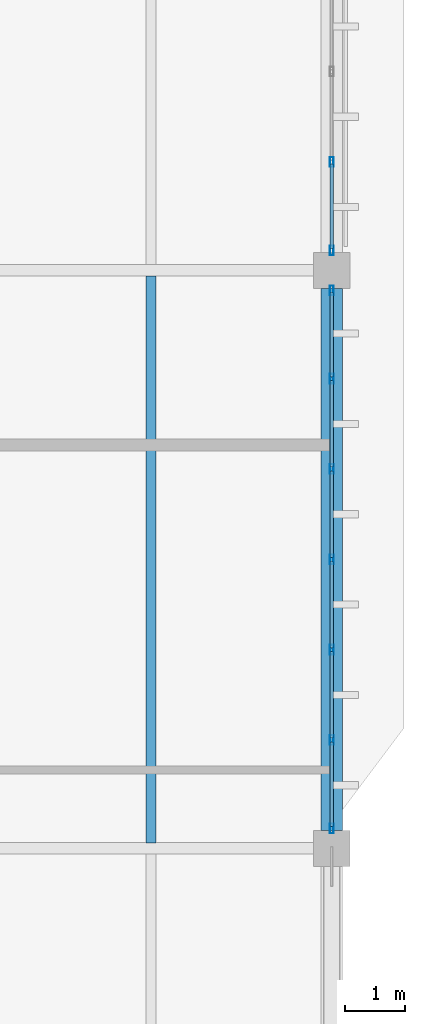
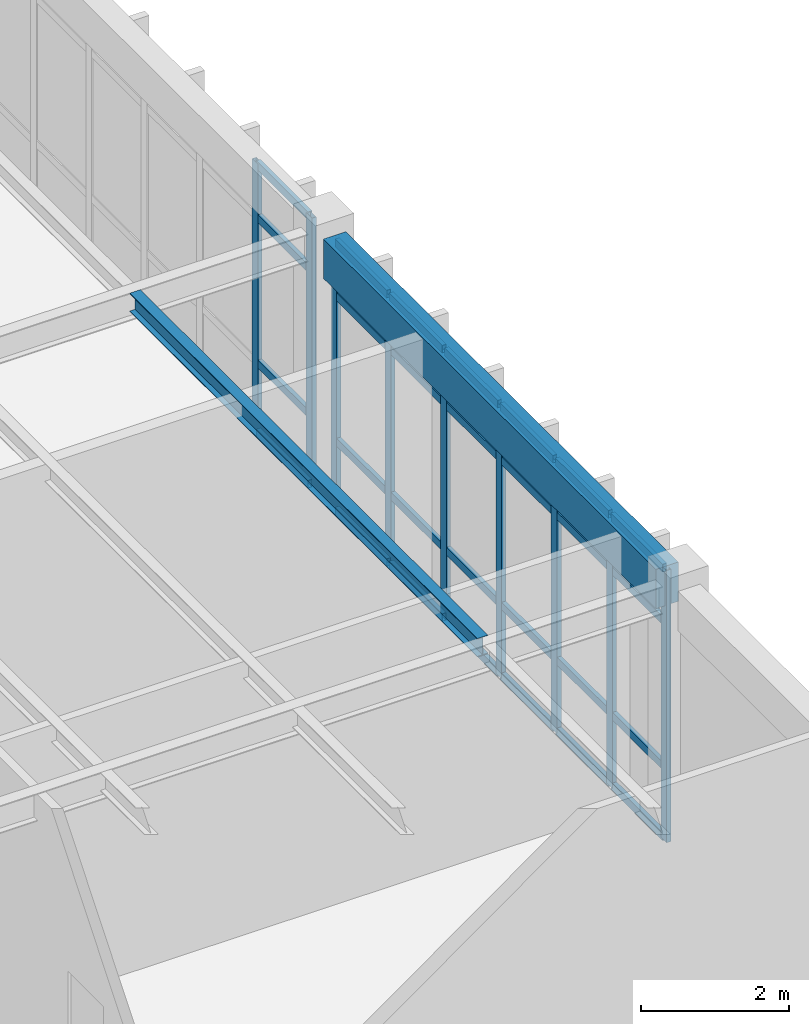
# One storey, part 149 of 236: 37 members, 2 beams, 2 elements without a shape of their own.
"""IFC4 building model written with IfcOpenShell, lengths in metres."""

from ifc_helpers import new_model, si_unit, direction, frame, origin, origin_2d, place, context, subcontext, project, spatial, rectangle, hollow_rectangle, i_section, extrude, material, layer, layer_set, material_profile, profile_set, type_object, element, aggregate, save


model = new_model("IFC4")

# Units and contexts
model_context = context("Model", 3, precision=1e-05, world=origin(), true_north=direction((0.0, 1.0)))
body_context = subcontext(model_context, "Body", "Model", "MODEL_VIEW")
ifc_project = project(units=[si_unit("LENGTHUNIT", "METRE"), si_unit("AREAUNIT", "SQUARE_METRE"), si_unit("VOLUMEUNIT", "CUBIC_METRE"), si_unit("PLANEANGLEUNIT", "RADIAN"), si_unit("MASSUNIT", "GRAM", prefix="KILO")], contexts=[model_context])

# Site, building, storey
site_placement = place(None, origin())
site = spatial("IfcSite", under=ifc_project, at=site_placement, CompositionType="ELEMENT")
building_placement = place(site_placement, origin())
building = spatial("IfcBuilding", under=site, at=building_placement, Name="Pandanus Reach Market Hall", CompositionType="ELEMENT")
storey_placement = place(building_placement, frame((0.0, 0.0, 5.39990234375)))
storey = spatial("IfcBuildingStorey", under=building, at=storey_placement, Name="L01", CompositionType="ELEMENT", Elevation=5.39990234375)

# Beam
ifc_material_1 = material(Name="Concrete N40 (40 MPa)", Category="concrete")
ifc_material_profile_1 = material_profile(ifc_material_1, rectangle(XDim=0.35009765625, YDim=0.64990234375, at=origin_2d()), Name="RC350x650", Category="LoadBearing")
ifc_profile_set_1 = profile_set([ifc_material_profile_1], Name="Concrete N40 (40 MPa)")
beam_type_1 = type_object("IfcBeamType", Name="BM-RC350-E", PredefinedType="SPANDREL", material=ifc_profile_set_1)
beam_1_placement = place(storey_placement, frame((180.0, 48.298095703125, 4.215087890625), z_axis=(0.0, 1.0, 0.0), x_axis=(-1.0, 0.0, 0.0)))
element("IfcBeam", 1, at=beam_1_placement, inside=storey, type_object=beam_type_1, Name="Framing beam BM-RC350-E L01.367", PredefinedType="SPANDREL", context=body_context, shape_type="SweptSolid", body=[
    extrude(rectangle(XDim=0.35009765625, YDim=0.64990234375, at=origin_2d()), origin(), (0.0, 0.0, 1.0), 9.00390625),
])

# Curtain wall, members
ifc_material_2 = material(Name="Bronze anodised aluminium and low-E glass", Category="aluminium")
ifc_layer = layer(ifc_material_2, 0.159912109375, Name="CW-28")
ifc_layer_set = layer_set([ifc_layer], Name="Bronze anodised aluminium and low-E glass")
curtain_wall_type = type_object("IfcCurtainWallType", Name="CW-28", PredefinedType="NOTDEFINED", material=ifc_layer_set)
curtain_wall_1_placement = place(storey_placement, origin())
curtain_wall_1 = element("IfcCurtainWall", 2, at=curtain_wall_1_placement, inside=storey, type_object=curtain_wall_type, Name="Glazed curtain wall CW-28 CW-0087", PredefinedType="NOTDEFINED")
ifc_material_3 = material(Name="Bronze anodised aluminium", Category="aluminium")
ifc_material_profile_2 = material_profile(ifc_material_3, hollow_rectangle(XDim=0.06494140625, YDim=0.159912109375, WallThickness=0.00390625, at=origin_2d()), Name="ALU65x160", Category="LoadBearing")
ifc_profile_set_2 = profile_set([ifc_material_profile_2], Name="Bronze anodised aluminium")
member_type_1 = type_object("IfcMemberType", Name="CW-M1", PredefinedType="MULLION", material=ifc_profile_set_2)
member_1_placement = place(storey_placement, frame((180.0, 48.33251953125, 0.0), z_axis=(0.0, 0.0, 1.0), x_axis=(-1.0, 0.0, 0.0)))
member_1 = element("IfcMember", 3, at=member_1_placement, type_object=member_type_1, Name="CW-28 mullion 1", PredefinedType="MULLION", context=body_context, shape_type="SweptSolid", body=[
    extrude(hollow_rectangle(XDim=0.06494140625, YDim=0.159912109375, WallThickness=0.00390625, at=origin_2d()), origin(), (0.0, 0.0, 1.0), 4.5),
])
member_2_placement = place(storey_placement, frame((180.0, 49.800048828125, 0.0), z_axis=(0.0, 0.0, 1.0), x_axis=(-1.0, 0.0, 0.0)))
member_2 = element("IfcMember", 4, at=member_2_placement, type_object=member_type_1, Name="CW-28 mullion 2", PredefinedType="MULLION", context=body_context, shape_type="SweptSolid", body=[
    extrude(hollow_rectangle(XDim=0.06494140625, YDim=0.159912109375, WallThickness=0.00390625, at=origin_2d()), origin(), (0.0, 0.0, 1.0), 4.5),
])
member_3_placement = place(storey_placement, frame((180.0, 51.300048828125, 0.0), z_axis=(0.0, 0.0, 1.0), x_axis=(-1.0, 0.0, 0.0)))
member_3 = element("IfcMember", 5, at=member_3_placement, type_object=member_type_1, Name="CW-28 mullion 3", PredefinedType="MULLION", context=body_context, shape_type="SweptSolid", body=[
    extrude(hollow_rectangle(XDim=0.06494140625, YDim=0.159912109375, WallThickness=0.00390625, at=origin_2d()), origin(), (0.0, 0.0, 1.0), 4.5),
])
member_4_placement = place(storey_placement, frame((180.0, 52.800048828125, 0.0), z_axis=(0.0, 0.0, 1.0), x_axis=(-1.0, 0.0, 0.0)))
member_4 = element("IfcMember", 6, at=member_4_placement, type_object=member_type_1, Name="CW-28 mullion 4", PredefinedType="MULLION", context=body_context, shape_type="SweptSolid", body=[
    extrude(hollow_rectangle(XDim=0.06494140625, YDim=0.159912109375, WallThickness=0.00390625, at=origin_2d()), origin(), (0.0, 0.0, 1.0), 4.5),
])
member_5_placement = place(storey_placement, frame((180.0, 54.300048828125, 0.0), z_axis=(0.0, 0.0, 1.0), x_axis=(-1.0, 0.0, 0.0)))
member_5 = element("IfcMember", 7, at=member_5_placement, type_object=member_type_1, Name="CW-28 mullion 5", PredefinedType="MULLION", context=body_context, shape_type="SweptSolid", body=[
    extrude(hollow_rectangle(XDim=0.06494140625, YDim=0.159912109375, WallThickness=0.00390625, at=origin_2d()), origin(), (0.0, 0.0, 1.0), 4.5),
])
member_6_placement = place(storey_placement, frame((180.0, 55.800048828125, 0.0), z_axis=(0.0, 0.0, 1.0), x_axis=(-1.0, 0.0, 0.0)))
member_6 = element("IfcMember", 8, at=member_6_placement, type_object=member_type_1, Name="CW-28 mullion 6", PredefinedType="MULLION", context=body_context, shape_type="SweptSolid", body=[
    extrude(hollow_rectangle(XDim=0.06494140625, YDim=0.159912109375, WallThickness=0.00390625, at=origin_2d()), origin(), (0.0, 0.0, 1.0), 4.5),
])
member_7_placement = place(storey_placement, frame((180.0, 57.267578125, 0.0), z_axis=(0.0, 0.0, 1.0), x_axis=(-1.0, 0.0, 0.0)))
member_7 = element("IfcMember", 9, at=member_7_placement, type_object=member_type_1, Name="CW-28 mullion 7", PredefinedType="MULLION", context=body_context, shape_type="SweptSolid", body=[
    extrude(hollow_rectangle(XDim=0.06494140625, YDim=0.159912109375, WallThickness=0.00390625, at=origin_2d()), origin(), (0.0, 0.0, 1.0), 4.5),
])

curtain_wall_2_placement = place(storey_placement, origin())
curtain_wall_2 = element("IfcCurtainWall", 10, at=curtain_wall_2_placement, inside=storey, type_object=curtain_wall_type, Name="Glazed curtain wall CW-28 CW-0088", PredefinedType="NOTDEFINED")
member_8_placement = place(storey_placement, frame((180.0, 57.9326171875, 0.0), z_axis=(0.0, 0.0, 1.0), x_axis=(-1.0, 0.0, 0.0)))
member_8 = element("IfcMember", 11, at=member_8_placement, type_object=member_type_1, Name="CW-28 mullion 1", PredefinedType="MULLION", context=body_context, shape_type="SweptSolid", body=[
    extrude(hollow_rectangle(XDim=0.06494140625, YDim=0.159912109375, WallThickness=0.00390625, at=origin_2d()), origin(), (0.0, 0.0, 1.0), 4.5),
])
member_9_placement = place(storey_placement, frame((180.0, 59.39990234375, 0.0), z_axis=(0.0, 0.0, 1.0), x_axis=(-1.0, 0.0, 0.0)))
member_9 = element("IfcMember", 12, at=member_9_placement, type_object=member_type_1, Name="CW-28 mullion 2", PredefinedType="MULLION", context=body_context, shape_type="SweptSolid", body=[
    extrude(hollow_rectangle(XDim=0.06494140625, YDim=0.159912109375, WallThickness=0.00390625, at=origin_2d()), origin(), (0.0, 0.0, 1.0), 4.5),
])

# Member
ifc_material_profile_3 = material_profile(ifc_material_3, hollow_rectangle(XDim=0.06494140625, YDim=0.1298828125, WallThickness=0.00390625, at=origin_2d()), Name="ALU65x130", Category="LoadBearing")
ifc_profile_set_3 = profile_set([ifc_material_profile_3], Name="Bronze anodised aluminium")
member_type_2 = type_object("IfcMemberType", Name="CW-T1", PredefinedType="USERDEFINED", material=ifc_profile_set_3)
member_10_placement = place(storey_placement, frame((180.0, 48.364990234375, 0.03271484375), z_axis=(0.0, 1.0, 0.0), x_axis=(-1.0, 0.0, 0.0)))
member_10 = element("IfcMember", 13, at=member_10_placement, type_object=member_type_2, Name="CW-28 transom 1.1", ObjectType="TRANSOM", PredefinedType="USERDEFINED", context=body_context, shape_type="SweptSolid", body=[
    extrude(hollow_rectangle(XDim=0.06494140625, YDim=0.1298828125, WallThickness=0.00390625, at=origin_2d()), origin(), (0.0, 0.0, 1.0), 1.402587890625),
])

member_11_placement = place(storey_placement, frame((180.0, 48.364990234375, 1.2001953125), z_axis=(0.0, 1.0, 0.0), x_axis=(-1.0, 0.0, 0.0)))
member_11 = element("IfcMember", 14, at=member_11_placement, type_object=member_type_2, Name="CW-28 transom 1.2", ObjectType="TRANSOM", PredefinedType="USERDEFINED", context=body_context, shape_type="SweptSolid", body=[
    extrude(hollow_rectangle(XDim=0.06494140625, YDim=0.1298828125, WallThickness=0.00390625, at=origin_2d()), origin(), (0.0, 0.0, 1.0), 1.402587890625),
])

member_12_placement = place(storey_placement, frame((180.0, 48.364990234375, 3.60009765625), z_axis=(0.0, 1.0, 0.0), x_axis=(-1.0, 0.0, 0.0)))
member_12 = element("IfcMember", 15, at=member_12_placement, type_object=member_type_2, Name="CW-28 transom 1.3", ObjectType="TRANSOM", PredefinedType="USERDEFINED", context=body_context, shape_type="SweptSolid", body=[
    extrude(hollow_rectangle(XDim=0.06494140625, YDim=0.1298828125, WallThickness=0.00390625, at=origin_2d()), origin(), (0.0, 0.0, 1.0), 1.402587890625),
])

member_13_placement = place(storey_placement, frame((180.0, 48.364990234375, 4.467529296875), z_axis=(0.0, 1.0, 0.0), x_axis=(-1.0, 0.0, 0.0)))
member_13 = element("IfcMember", 16, at=member_13_placement, type_object=member_type_2, Name="CW-28 transom 1.4", ObjectType="TRANSOM", PredefinedType="USERDEFINED", context=body_context, shape_type="SweptSolid", body=[
    extrude(hollow_rectangle(XDim=0.06494140625, YDim=0.1298828125, WallThickness=0.00390625, at=origin_2d()), origin(), (0.0, 0.0, 1.0), 1.402587890625),
])

member_14_placement = place(storey_placement, frame((180.0, 49.83251953125, 0.03271484375), z_axis=(0.0, 1.0, 0.0), x_axis=(-1.0, 0.0, 0.0)))
member_14 = element("IfcMember", 17, at=member_14_placement, type_object=member_type_2, Name="CW-28 transom 2.1", ObjectType="TRANSOM", PredefinedType="USERDEFINED", context=body_context, shape_type="SweptSolid", body=[
    extrude(hollow_rectangle(XDim=0.06494140625, YDim=0.1298828125, WallThickness=0.00390625, at=origin_2d()), origin(), (0.0, 0.0, 1.0), 1.43505859375),
])

member_15_placement = place(storey_placement, frame((180.0, 49.83251953125, 1.2001953125), z_axis=(0.0, 1.0, 0.0), x_axis=(-1.0, 0.0, 0.0)))
member_15 = element("IfcMember", 18, at=member_15_placement, type_object=member_type_2, Name="CW-28 transom 2.2", ObjectType="TRANSOM", PredefinedType="USERDEFINED", context=body_context, shape_type="SweptSolid", body=[
    extrude(hollow_rectangle(XDim=0.06494140625, YDim=0.1298828125, WallThickness=0.00390625, at=origin_2d()), origin(), (0.0, 0.0, 1.0), 1.43505859375),
])

member_16_placement = place(storey_placement, frame((180.0, 49.83251953125, 3.60009765625), z_axis=(0.0, 1.0, 0.0), x_axis=(-1.0, 0.0, 0.0)))
member_16 = element("IfcMember", 19, at=member_16_placement, type_object=member_type_2, Name="CW-28 transom 2.3", ObjectType="TRANSOM", PredefinedType="USERDEFINED", context=body_context, shape_type="SweptSolid", body=[
    extrude(hollow_rectangle(XDim=0.06494140625, YDim=0.1298828125, WallThickness=0.00390625, at=origin_2d()), origin(), (0.0, 0.0, 1.0), 1.43505859375),
])

member_17_placement = place(storey_placement, frame((180.0, 49.83251953125, 4.467529296875), z_axis=(0.0, 1.0, 0.0), x_axis=(-1.0, 0.0, 0.0)))
member_17 = element("IfcMember", 20, at=member_17_placement, type_object=member_type_2, Name="CW-28 transom 2.4", ObjectType="TRANSOM", PredefinedType="USERDEFINED", context=body_context, shape_type="SweptSolid", body=[
    extrude(hollow_rectangle(XDim=0.06494140625, YDim=0.1298828125, WallThickness=0.00390625, at=origin_2d()), origin(), (0.0, 0.0, 1.0), 1.43505859375),
])

member_18_placement = place(storey_placement, frame((180.0, 51.33251953125, 0.03271484375), z_axis=(0.0, 1.0, 0.0), x_axis=(-1.0, 0.0, 0.0)))
member_18 = element("IfcMember", 21, at=member_18_placement, type_object=member_type_2, Name="CW-28 transom 3.1", ObjectType="TRANSOM", PredefinedType="USERDEFINED", context=body_context, shape_type="SweptSolid", body=[
    extrude(hollow_rectangle(XDim=0.06494140625, YDim=0.1298828125, WallThickness=0.00390625, at=origin_2d()), origin(), (0.0, 0.0, 1.0), 1.43505859375),
])

member_19_placement = place(storey_placement, frame((180.0, 51.33251953125, 1.2001953125), z_axis=(0.0, 1.0, 0.0), x_axis=(-1.0, 0.0, 0.0)))
member_19 = element("IfcMember", 22, at=member_19_placement, type_object=member_type_2, Name="CW-28 transom 3.2", ObjectType="TRANSOM", PredefinedType="USERDEFINED", context=body_context, shape_type="SweptSolid", body=[
    extrude(hollow_rectangle(XDim=0.06494140625, YDim=0.1298828125, WallThickness=0.00390625, at=origin_2d()), origin(), (0.0, 0.0, 1.0), 1.43505859375),
])

member_20_placement = place(storey_placement, frame((180.0, 51.33251953125, 3.60009765625), z_axis=(0.0, 1.0, 0.0), x_axis=(-1.0, 0.0, 0.0)))
member_20 = element("IfcMember", 23, at=member_20_placement, type_object=member_type_2, Name="CW-28 transom 3.3", ObjectType="TRANSOM", PredefinedType="USERDEFINED", context=body_context, shape_type="SweptSolid", body=[
    extrude(hollow_rectangle(XDim=0.06494140625, YDim=0.1298828125, WallThickness=0.00390625, at=origin_2d()), origin(), (0.0, 0.0, 1.0), 1.43505859375),
])

member_21_placement = place(storey_placement, frame((180.0, 51.33251953125, 4.467529296875), z_axis=(0.0, 1.0, 0.0), x_axis=(-1.0, 0.0, 0.0)))
member_21 = element("IfcMember", 24, at=member_21_placement, type_object=member_type_2, Name="CW-28 transom 3.4", ObjectType="TRANSOM", PredefinedType="USERDEFINED", context=body_context, shape_type="SweptSolid", body=[
    extrude(hollow_rectangle(XDim=0.06494140625, YDim=0.1298828125, WallThickness=0.00390625, at=origin_2d()), origin(), (0.0, 0.0, 1.0), 1.43505859375),
])

member_22_placement = place(storey_placement, frame((180.0, 52.83251953125, 0.03271484375), z_axis=(0.0, 1.0, 0.0), x_axis=(-1.0, 0.0, 0.0)))
member_22 = element("IfcMember", 25, at=member_22_placement, type_object=member_type_2, Name="CW-28 transom 4.1", ObjectType="TRANSOM", PredefinedType="USERDEFINED", context=body_context, shape_type="SweptSolid", body=[
    extrude(hollow_rectangle(XDim=0.06494140625, YDim=0.1298828125, WallThickness=0.00390625, at=origin_2d()), origin(), (0.0, 0.0, 1.0), 1.43505859375),
])

member_23_placement = place(storey_placement, frame((180.0, 52.83251953125, 1.2001953125), z_axis=(0.0, 1.0, 0.0), x_axis=(-1.0, 0.0, 0.0)))
member_23 = element("IfcMember", 26, at=member_23_placement, type_object=member_type_2, Name="CW-28 transom 4.2", ObjectType="TRANSOM", PredefinedType="USERDEFINED", context=body_context, shape_type="SweptSolid", body=[
    extrude(hollow_rectangle(XDim=0.06494140625, YDim=0.1298828125, WallThickness=0.00390625, at=origin_2d()), origin(), (0.0, 0.0, 1.0), 1.43505859375),
])

member_24_placement = place(storey_placement, frame((180.0, 52.83251953125, 3.60009765625), z_axis=(0.0, 1.0, 0.0), x_axis=(-1.0, 0.0, 0.0)))
member_24 = element("IfcMember", 27, at=member_24_placement, type_object=member_type_2, Name="CW-28 transom 4.3", ObjectType="TRANSOM", PredefinedType="USERDEFINED", context=body_context, shape_type="SweptSolid", body=[
    extrude(hollow_rectangle(XDim=0.06494140625, YDim=0.1298828125, WallThickness=0.00390625, at=origin_2d()), origin(), (0.0, 0.0, 1.0), 1.43505859375),
])

member_25_placement = place(storey_placement, frame((180.0, 52.83251953125, 4.467529296875), z_axis=(0.0, 1.0, 0.0), x_axis=(-1.0, 0.0, 0.0)))
member_25 = element("IfcMember", 28, at=member_25_placement, type_object=member_type_2, Name="CW-28 transom 4.4", ObjectType="TRANSOM", PredefinedType="USERDEFINED", context=body_context, shape_type="SweptSolid", body=[
    extrude(hollow_rectangle(XDim=0.06494140625, YDim=0.1298828125, WallThickness=0.00390625, at=origin_2d()), origin(), (0.0, 0.0, 1.0), 1.43505859375),
])

member_26_placement = place(storey_placement, frame((180.0, 54.33251953125, 0.03271484375), z_axis=(0.0, 1.0, 0.0), x_axis=(-1.0, 0.0, 0.0)))
member_26 = element("IfcMember", 29, at=member_26_placement, type_object=member_type_2, Name="CW-28 transom 5.1", ObjectType="TRANSOM", PredefinedType="USERDEFINED", context=body_context, shape_type="SweptSolid", body=[
    extrude(hollow_rectangle(XDim=0.06494140625, YDim=0.1298828125, WallThickness=0.00390625, at=origin_2d()), origin(), (0.0, 0.0, 1.0), 1.43505859375),
])

member_27_placement = place(storey_placement, frame((180.0, 54.33251953125, 1.2001953125), z_axis=(0.0, 1.0, 0.0), x_axis=(-1.0, 0.0, 0.0)))
member_27 = element("IfcMember", 30, at=member_27_placement, type_object=member_type_2, Name="CW-28 transom 5.2", ObjectType="TRANSOM", PredefinedType="USERDEFINED", context=body_context, shape_type="SweptSolid", body=[
    extrude(hollow_rectangle(XDim=0.06494140625, YDim=0.1298828125, WallThickness=0.00390625, at=origin_2d()), origin(), (0.0, 0.0, 1.0), 1.43505859375),
])

member_28_placement = place(storey_placement, frame((180.0, 54.33251953125, 3.60009765625), z_axis=(0.0, 1.0, 0.0), x_axis=(-1.0, 0.0, 0.0)))
member_28 = element("IfcMember", 31, at=member_28_placement, type_object=member_type_2, Name="CW-28 transom 5.3", ObjectType="TRANSOM", PredefinedType="USERDEFINED", context=body_context, shape_type="SweptSolid", body=[
    extrude(hollow_rectangle(XDim=0.06494140625, YDim=0.1298828125, WallThickness=0.00390625, at=origin_2d()), origin(), (0.0, 0.0, 1.0), 1.43505859375),
])

member_29_placement = place(storey_placement, frame((180.0, 54.33251953125, 4.467529296875), z_axis=(0.0, 1.0, 0.0), x_axis=(-1.0, 0.0, 0.0)))
member_29 = element("IfcMember", 32, at=member_29_placement, type_object=member_type_2, Name="CW-28 transom 5.4", ObjectType="TRANSOM", PredefinedType="USERDEFINED", context=body_context, shape_type="SweptSolid", body=[
    extrude(hollow_rectangle(XDim=0.06494140625, YDim=0.1298828125, WallThickness=0.00390625, at=origin_2d()), origin(), (0.0, 0.0, 1.0), 1.43505859375),
])

member_30_placement = place(storey_placement, frame((180.0, 55.83251953125, 0.03271484375), z_axis=(0.0, 1.0, 0.0), x_axis=(-1.0, 0.0, 0.0)))
member_30 = element("IfcMember", 33, at=member_30_placement, type_object=member_type_2, Name="CW-28 transom 6.1", ObjectType="TRANSOM", PredefinedType="USERDEFINED", context=body_context, shape_type="SweptSolid", body=[
    extrude(hollow_rectangle(XDim=0.06494140625, YDim=0.1298828125, WallThickness=0.00390625, at=origin_2d()), origin(), (0.0, 0.0, 1.0), 1.402587890625),
])

member_31_placement = place(storey_placement, frame((180.0, 55.83251953125, 1.2001953125), z_axis=(0.0, 1.0, 0.0), x_axis=(-1.0, 0.0, 0.0)))
member_31 = element("IfcMember", 34, at=member_31_placement, type_object=member_type_2, Name="CW-28 transom 6.2", ObjectType="TRANSOM", PredefinedType="USERDEFINED", context=body_context, shape_type="SweptSolid", body=[
    extrude(hollow_rectangle(XDim=0.06494140625, YDim=0.1298828125, WallThickness=0.00390625, at=origin_2d()), origin(), (0.0, 0.0, 1.0), 1.402587890625),
])

member_32_placement = place(storey_placement, frame((180.0, 55.83251953125, 3.60009765625), z_axis=(0.0, 1.0, 0.0), x_axis=(-1.0, 0.0, 0.0)))
member_32 = element("IfcMember", 35, at=member_32_placement, type_object=member_type_2, Name="CW-28 transom 6.3", ObjectType="TRANSOM", PredefinedType="USERDEFINED", context=body_context, shape_type="SweptSolid", body=[
    extrude(hollow_rectangle(XDim=0.06494140625, YDim=0.1298828125, WallThickness=0.00390625, at=origin_2d()), origin(), (0.0, 0.0, 1.0), 1.402587890625),
])

member_33_placement = place(storey_placement, frame((180.0, 55.83251953125, 4.467529296875), z_axis=(0.0, 1.0, 0.0), x_axis=(-1.0, 0.0, 0.0)))
member_33 = element("IfcMember", 36, at=member_33_placement, type_object=member_type_2, Name="CW-28 transom 6.4", ObjectType="TRANSOM", PredefinedType="USERDEFINED", context=body_context, shape_type="SweptSolid", body=[
    extrude(hollow_rectangle(XDim=0.06494140625, YDim=0.1298828125, WallThickness=0.00390625, at=origin_2d()), origin(), (0.0, 0.0, 1.0), 1.402587890625),
])

aggregate(curtain_wall_1, [member_1, member_2, member_3, member_4, member_5, member_6, member_7, member_10, member_11, member_12, member_13, member_14, member_15, member_16, member_17, member_18, member_19, member_20, member_21, member_22, member_23, member_24, member_25, member_26, member_27, member_28, member_29, member_30, member_31, member_32, member_33])

member_34_placement = place(storey_placement, frame((180.0, 57.965087890625, 0.03271484375), z_axis=(0.0, 1.0, 0.0), x_axis=(-1.0, 0.0, 0.0)))
member_34 = element("IfcMember", 37, at=member_34_placement, type_object=member_type_2, Name="CW-28 transom 1.1", ObjectType="TRANSOM", PredefinedType="USERDEFINED", context=body_context, shape_type="SweptSolid", body=[
    extrude(hollow_rectangle(XDim=0.06494140625, YDim=0.1298828125, WallThickness=0.00390625, at=origin_2d()), origin(), (0.0, 0.0, 1.0), 1.40234375),
])

member_35_placement = place(storey_placement, frame((180.0, 57.965087890625, 1.2001953125), z_axis=(0.0, 1.0, 0.0), x_axis=(-1.0, 0.0, 0.0)))
member_35 = element("IfcMember", 38, at=member_35_placement, type_object=member_type_2, Name="CW-28 transom 1.2", ObjectType="TRANSOM", PredefinedType="USERDEFINED", context=body_context, shape_type="SweptSolid", body=[
    extrude(hollow_rectangle(XDim=0.06494140625, YDim=0.1298828125, WallThickness=0.00390625, at=origin_2d()), origin(), (0.0, 0.0, 1.0), 1.40234375),
])

member_36_placement = place(storey_placement, frame((180.0, 57.965087890625, 3.60009765625), z_axis=(0.0, 1.0, 0.0), x_axis=(-1.0, 0.0, 0.0)))
member_36 = element("IfcMember", 39, at=member_36_placement, type_object=member_type_2, Name="CW-28 transom 1.3", ObjectType="TRANSOM", PredefinedType="USERDEFINED", context=body_context, shape_type="SweptSolid", body=[
    extrude(hollow_rectangle(XDim=0.06494140625, YDim=0.1298828125, WallThickness=0.00390625, at=origin_2d()), origin(), (0.0, 0.0, 1.0), 1.40234375),
])

member_37_placement = place(storey_placement, frame((180.0, 57.965087890625, 4.467529296875), z_axis=(0.0, 1.0, 0.0), x_axis=(-1.0, 0.0, 0.0)))
member_37 = element("IfcMember", 40, at=member_37_placement, type_object=member_type_2, Name="CW-28 transom 1.4", ObjectType="TRANSOM", PredefinedType="USERDEFINED", context=body_context, shape_type="SweptSolid", body=[
    extrude(hollow_rectangle(XDim=0.06494140625, YDim=0.1298828125, WallThickness=0.00390625, at=origin_2d()), origin(), (0.0, 0.0, 1.0), 1.40234375),
])

aggregate(curtain_wall_2, [member_8, member_9, member_34, member_35, member_36, member_37])

# Beam
ifc_material_4 = material(Name="Steel Grade 350 (350 MPa)", Category="steel")
ifc_material_profile_4 = material_profile(ifc_material_4, i_section(OverallWidth=0.166015625, OverallDepth=0.306884765625, WebThickness=0.006591796875, FlangeThickness=0.01171875, at=origin_2d()), Name="310UB46.2", Category="LoadBearing")
ifc_profile_set_4 = profile_set([ifc_material_profile_4], Name="Steel Grade 350 (350 MPa)")
beam_type_2 = type_object("IfcBeamType", Name="JS-UB310H-I", PredefinedType="JOIST", material=ifc_profile_set_4)
beam_2_placement = place(storey_placement, frame((177.0, 48.093017578125, 4.38623046875), z_axis=(0.0, 1.0, 0.0), x_axis=(-1.0, 0.0, 0.0)))
element("IfcBeam", 41, at=beam_2_placement, inside=storey, type_object=beam_type_2, Name="Secondary joist JS-UB310H-I L01.427", PredefinedType="JOIST", context=body_context, shape_type="SweptSolid", body=[
    extrude(i_section(OverallWidth=0.166015625, OverallDepth=0.306884765625, WebThickness=0.006591796875, FlangeThickness=0.01171875, at=origin_2d()), origin(), (0.0, 0.0, 1.0), 9.4140625),
])

save(model, "model.ifc")
